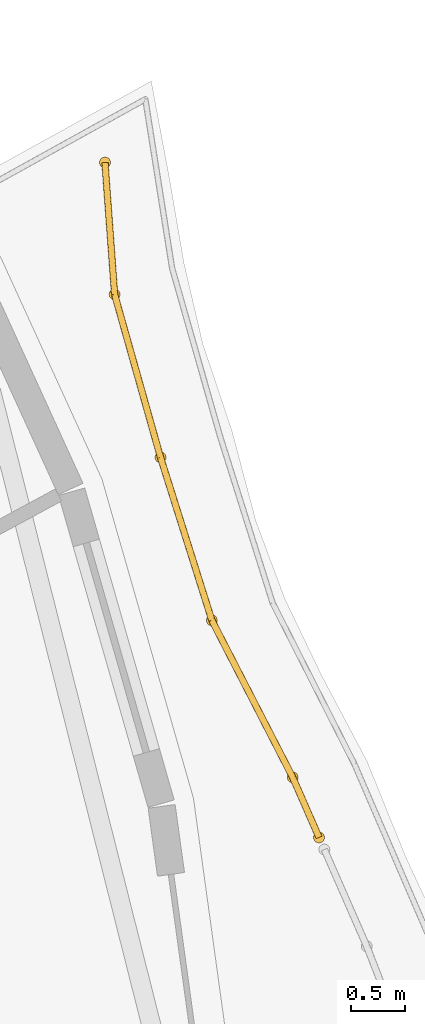
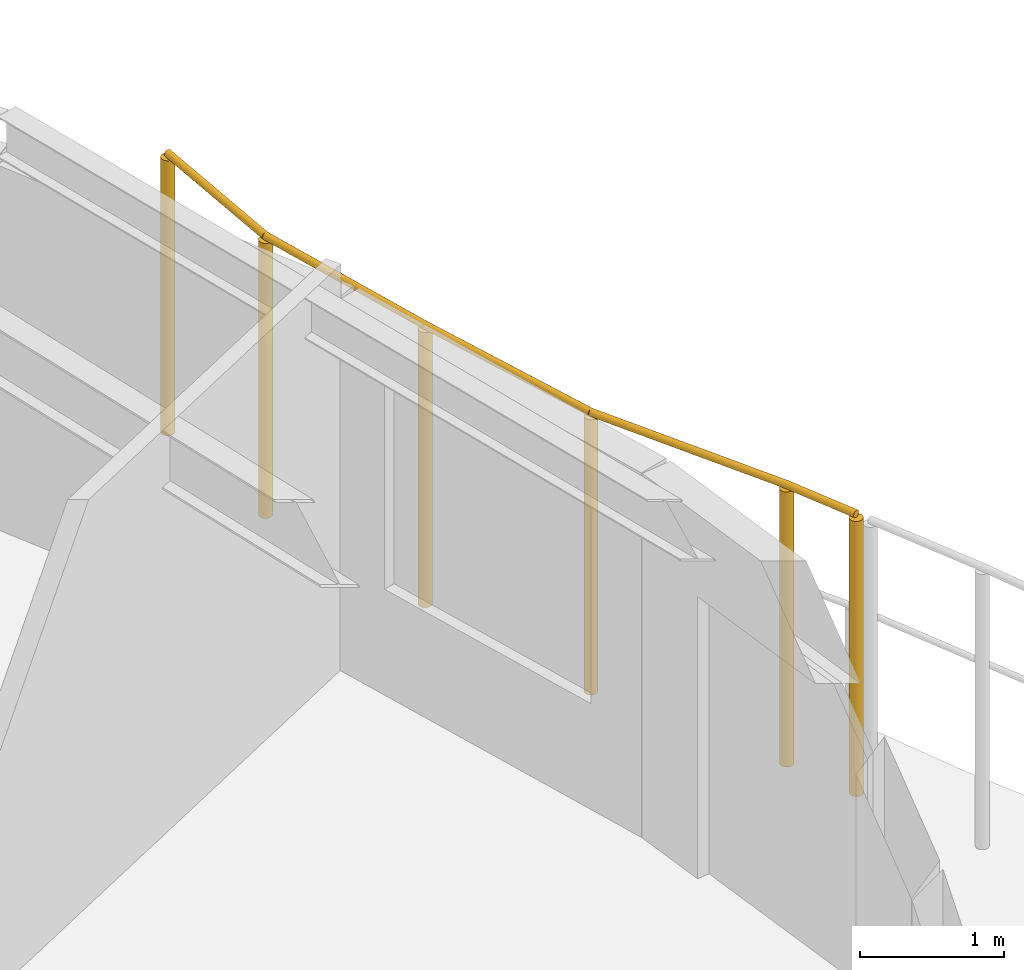
# One storey, part 15 of 15: 1 railing.
"""IFC4 building model written with IfcOpenShell, lengths in metres."""

from ifc_helpers import new_model, si_unit, direction, frame, origin, origin_2d, place, context, subcontext, project, spatial, circle, extrude, material, type_object, element, save


model = new_model("IFC4")

# Units and contexts
model_context = context("Model", 3, precision=1e-05, world=origin(), true_north=direction((0.0, 1.0)))
body_context = subcontext(model_context, "Body", "Model", "MODEL_VIEW")
ifc_project = project(units=[si_unit("LENGTHUNIT", "METRE"), si_unit("AREAUNIT", "SQUARE_METRE"), si_unit("VOLUMEUNIT", "CUBIC_METRE"), si_unit("PLANEANGLEUNIT", "RADIAN"), si_unit("MASSUNIT", "GRAM", prefix="KILO")], contexts=[model_context])

# Site, building, storey
site_placement = place(None, origin())
site = spatial("IfcSite", under=ifc_project, at=site_placement, CompositionType="ELEMENT")
building_placement = place(site_placement, origin())
building = spatial("IfcBuilding", under=site, at=building_placement, Name="Vermilion Reach Broadcast Tower", CompositionType="ELEMENT")
storey_placement = place(building_placement, frame((0.0, 0.0, 220.89990234375)))
storey = spatial("IfcBuildingStorey", under=building, at=storey_placement, Name="L54", CompositionType="ELEMENT", Elevation=220.89990234375)

# Railing
ifc_material = material(Name="Terracotta baguette", Category="masonry")
railing_type = type_object("IfcRailingType", Name="BAGUETTE SCREEN", PredefinedType="USERDEFINED", material=ifc_material)
railing_placement = place(storey_placement, frame((19.330322265625, 9.272705078125, 0.0)))
element("IfcRailing", 1, at=railing_placement, inside=storey, type_object=railing_type, Name="Baguette screen L54 group 4 part 3", ObjectType="BAGUETTE SCREEN", PredefinedType="USERDEFINED", context=body_context, shape_type="SweptSolid", body=[
    extrude(circle(Radius=0.030029296875, at=origin_2d()), frame((0.0, 0.0, 2.369873046875), z_axis=(-0.401542136523, 0.915840549766, 0.0), x_axis=(-0.915840549766, -0.401542136523, 0.0)), (0.0, 0.0, 1.0), 0.601806640625),
    extrude(circle(Radius=0.030029296875, at=origin_2d()), frame((-0.24169921875, 0.55126953125, 2.369873046875), z_axis=(-0.45760316767, 0.889156533429, 0.0), x_axis=(-0.889156533429, -0.45760316767, 0.0)), (0.0, 0.0, 1.0), 1.621337890625),
    extrude(circle(Radius=0.030029296875, at=origin_2d()), frame((-0.983642578125, 1.992919921875, 2.369873046875), z_axis=(-0.30052735905, 0.953773194456, 0.0), x_axis=(-0.953773194456, -0.30052735905, 0.0)), (0.0, 0.0, 1.0), 1.567138671875),
    extrude(circle(Radius=0.030029296875, at=origin_2d()), frame((-1.45458984375, 3.487548828125, 2.369873046875), z_axis=(-0.271127897639, 0.962543330517, 0.0), x_axis=(-0.962543330517, -0.271127897639, 0.0)), (0.0, 0.0, 1.0), 1.55322265625),
    extrude(circle(Radius=0.030029296875, at=origin_2d()), frame((-1.875732421875, 4.982666015625, 2.369873046875), z_axis=(-0.073034211273, 0.997329436036, 0.0), x_axis=(-0.997329436036, -0.073034211273, 0.0)), (0.0, 0.0, 1.0), 1.21337890625),
    extrude(circle(Radius=0.050048828125, at=origin_2d()), origin(), (0.0, 0.0, 1.0), 2.33984375),
    extrude(circle(Radius=0.050048828125, at=origin_2d()), frame((-0.24169921875, 0.55126953125, 0.0)), (0.0, 0.0, 1.0), 2.33984375),
    extrude(circle(Radius=0.050048828125, at=origin_2d()), frame((-0.983642578125, 1.992919921875, 0.0)), (0.0, 0.0, 1.0), 2.33984375),
    extrude(circle(Radius=0.050048828125, at=origin_2d()), frame((-1.45458984375, 3.487548828125, 0.0)), (0.0, 0.0, 1.0), 2.33984375),
    extrude(circle(Radius=0.050048828125, at=origin_2d()), frame((-1.875732421875, 4.982666015625, 0.0)), (0.0, 0.0, 1.0), 2.33984375),
    extrude(circle(Radius=0.050048828125, at=origin_2d()), frame((-1.96435546875, 6.19287109375, 0.0)), (0.0, 0.0, 1.0), 2.33984375),
])

save(model, "model.ifc")
